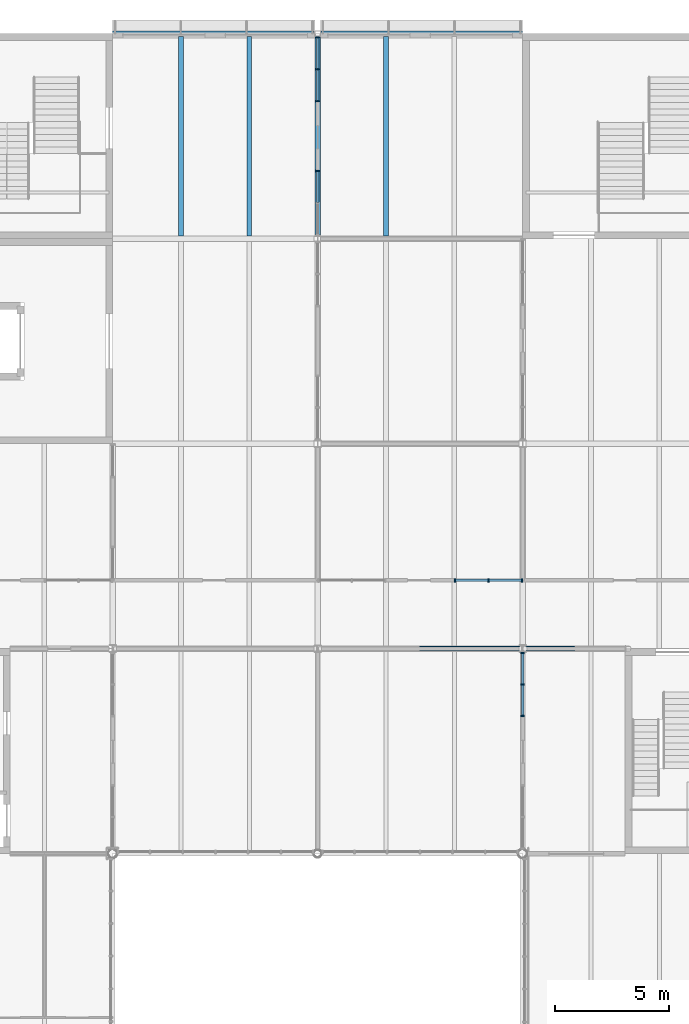
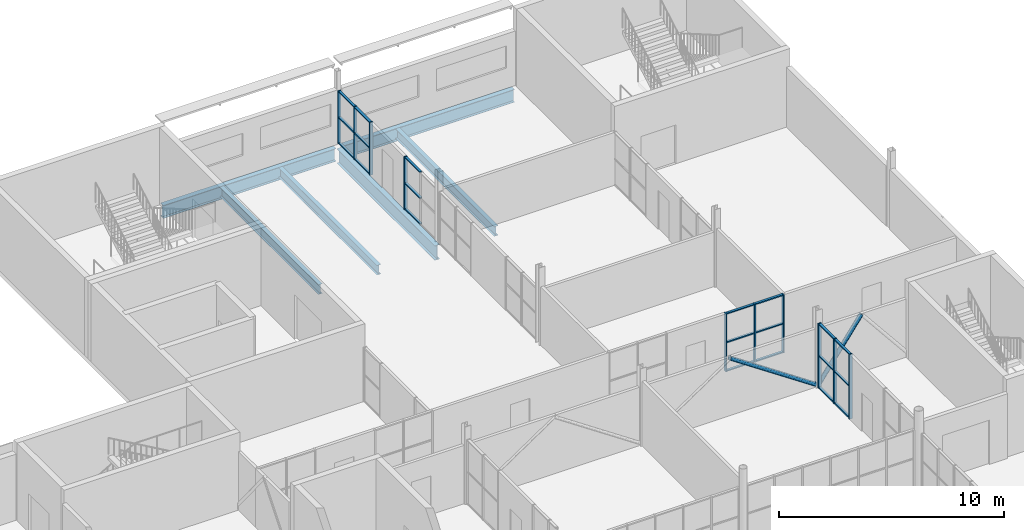
# One storey, part 23 of 57: 33 members, 6 beams, 4 elements without a shape of their own.
"""IFC4 building model written with IfcOpenShell, lengths in metres."""

from ifc_helpers import new_model, si_unit, direction, frame, origin, origin_2d, place, context, subcontext, project, spatial, rectangle, hollow_circle, i_section, extrude, material, layer, layer_set, material_profile, profile_set, type_object, element, aggregate, save


model = new_model("IFC4")

# Units and contexts
model_context = context("Model", 3, precision=1e-05, world=origin(), true_north=direction((0.0, 1.0)))
body_context = subcontext(model_context, "Body", "Model", "MODEL_VIEW")
ifc_project = project(units=[si_unit("LENGTHUNIT", "METRE"), si_unit("AREAUNIT", "SQUARE_METRE"), si_unit("VOLUMEUNIT", "CUBIC_METRE"), si_unit("PLANEANGLEUNIT", "RADIAN"), si_unit("MASSUNIT", "GRAM", prefix="KILO")], contexts=[model_context])

# Site, building, storey
site_placement = place(None, origin())
site = spatial("IfcSite", under=ifc_project, at=site_placement, CompositionType="ELEMENT")
building_placement = place(site_placement, origin())
building = spatial("IfcBuilding", under=site, at=building_placement, Name="Halyard Row Museum", CompositionType="ELEMENT")
storey_placement = place(building_placement, frame((0.0, 0.0, 5.0)))
storey = spatial("IfcBuildingStorey", under=building, at=storey_placement, Name="L01", CompositionType="ELEMENT", Elevation=5.0)

# Members
ifc_material_1 = material(Name="Steel Grade C350L0", Category="steel")
ifc_material_profile_1 = material_profile(ifc_material_1, hollow_circle(Radius=0.109619140625, WallThickness=0.00830078125, at=origin_2d()), Name="219.1x8.2CHS")
ifc_profile_set_1 = profile_set([ifc_material_profile_1], Name="Steel Grade C350L0")
member_type_1 = type_object("IfcMemberType", Name="Brace 219.1x8.2CHS", PredefinedType="BRACE", material=ifc_profile_set_1)
member_1_placement = place(storey_placement, frame((98.89453125, 36.0, 0.109619140625), z_axis=(-0.829104901189, 0.0, 0.559093071702), x_axis=(0.0, -1.0, 0.0)))
element("IfcMember", 1, at=member_1_placement, inside=storey, type_object=member_type_1, Name="Brace L01 Y36 90-99 B", PredefinedType="BRACE", context=body_context, shape_type="SweptSolid", body=[
    extrude(hollow_circle(Radius=0.109619140625, WallThickness=0.00830078125, at=origin_2d()), origin(), (0.0, 0.0, 1.0), 5.30029296875),
])
member_2_placement = place(storey_placement, frame((99.10546875, 36.0, 0.109619140625), z_axis=(0.582793599355, 0.0, 0.812620219137), x_axis=(0.0, 1.0, 0.0)))
element("IfcMember", 2, at=member_2_placement, inside=storey, type_object=member_type_1, Name="Brace L01 Y36 99-103.5 A", PredefinedType="BRACE", context=body_context, shape_type="SweptSolid", body=[
    extrude(hollow_circle(Radius=0.109619140625, WallThickness=0.00830078125, at=origin_2d()), origin(), (0.0, 0.0, 1.0), 3.6796875),
])

# Curtain wall, members
ifc_material_2 = material(Name="Fire-resisting laminated glazing", Category="glass")
ifc_layer = layer(ifc_material_2, 0.159912109375)
ifc_layer_set = layer_set([ifc_layer], Name="Fire-resisting laminated glazing")
curtain_wall_type = type_object("IfcCurtainWallType", Name="Curtain wall atrium screen 160 deep", PredefinedType="NOTDEFINED", material=ifc_layer_set)
curtain_wall_1_placement = place(storey_placement, origin())
curtain_wall_1 = element("IfcCurtainWall", 3, at=curtain_wall_1_placement, inside=storey, type_object=curtain_wall_type, Name="Curtain wall CW147", PredefinedType="NOTDEFINED")
ifc_material_3 = material(Name="Powder-coated aluminium section", Category="aluminium")
ifc_material_profile_2 = material_profile(ifc_material_3, rectangle(XDim=0.159912109375, YDim=0.06005859375, at=origin_2d()), Name="160x60 mullion")
ifc_profile_set_2 = profile_set([ifc_material_profile_2], Name="Powder-coated aluminium section")
member_type_2 = type_object("IfcMemberType", Name="Curtain wall mullion CM5 60 x 160", PredefinedType="MULLION", material=ifc_profile_set_2)
member_3_placement = place(storey_placement, frame((99.0, 33.0498046875, 0.0), z_axis=(0.0, 0.0, 1.0), x_axis=(-1.0, 0.0, 0.0)))
member_3 = element("IfcMember", 4, at=member_3_placement, type_object=member_type_2, Name="CW147 mullion 1", PredefinedType="MULLION", context=body_context, shape_type="SweptSolid", body=[
    extrude(rectangle(XDim=0.159912109375, YDim=0.06005859375, at=origin_2d()), origin(), (0.0, 0.0, 1.0), 3.501953125),
])
member_4_placement = place(storey_placement, frame((99.0, 34.427978515625, 0.0), z_axis=(0.0, 0.0, 1.0), x_axis=(-1.0, 0.0, 0.0)))
member_4 = element("IfcMember", 5, at=member_4_placement, type_object=member_type_2, Name="CW147 mullion 2", PredefinedType="MULLION", context=body_context, shape_type="SweptSolid", body=[
    extrude(rectangle(XDim=0.159912109375, YDim=0.06005859375, at=origin_2d()), origin(), (0.0, 0.0, 1.0), 3.501953125),
])
member_5_placement = place(storey_placement, frame((99.0, 35.806396484375, 0.0), z_axis=(0.0, 0.0, 1.0), x_axis=(-1.0, 0.0, 0.0)))
member_5 = element("IfcMember", 6, at=member_5_placement, type_object=member_type_2, Name="CW147 mullion 3", PredefinedType="MULLION", context=body_context, shape_type="SweptSolid", body=[
    extrude(rectangle(XDim=0.159912109375, YDim=0.06005859375, at=origin_2d()), origin(), (0.0, 0.0, 1.0), 3.501953125),
])

curtain_wall_2_placement = place(storey_placement, origin())
curtain_wall_2 = element("IfcCurtainWall", 7, at=curtain_wall_2_placement, inside=storey, type_object=curtain_wall_type, Name="Curtain wall CW151", PredefinedType="NOTDEFINED")
member_6_placement = place(storey_placement, frame((96.030029296875, 39.0, 0.0), z_axis=(0.0, 0.0, 1.0), x_axis=(0.0, 1.0, 0.0)))
member_6 = element("IfcMember", 8, at=member_6_placement, type_object=member_type_2, Name="CW151 mullion 1", PredefinedType="MULLION", context=body_context, shape_type="SweptSolid", body=[
    extrude(rectangle(XDim=0.159912109375, YDim=0.06005859375, at=origin_2d()), origin(), (0.0, 0.0, 1.0), 3.157958984375),
])
member_7_placement = place(storey_placement, frame((97.5, 39.0, 0.0), z_axis=(0.0, 0.0, 1.0), x_axis=(0.0, 1.0, 0.0)))
member_7 = element("IfcMember", 9, at=member_7_placement, type_object=member_type_2, Name="CW151 mullion 2", PredefinedType="MULLION", context=body_context, shape_type="SweptSolid", body=[
    extrude(rectangle(XDim=0.159912109375, YDim=0.06005859375, at=origin_2d()), origin(), (0.0, 0.0, 1.0), 3.157958984375),
])
member_8_placement = place(storey_placement, frame((98.969970703125, 39.0, 0.0), z_axis=(0.0, 0.0, 1.0), x_axis=(0.0, 1.0, 0.0)))
member_8 = element("IfcMember", 10, at=member_8_placement, type_object=member_type_2, Name="CW151 mullion 3", PredefinedType="MULLION", context=body_context, shape_type="SweptSolid", body=[
    extrude(rectangle(XDim=0.159912109375, YDim=0.06005859375, at=origin_2d()), origin(), (0.0, 0.0, 1.0), 3.157958984375),
])

# Curtain wall, member
curtain_wall_3_placement = place(storey_placement, origin())
curtain_wall_3 = element("IfcCurtainWall", 11, at=curtain_wall_3_placement, inside=storey, type_object=curtain_wall_type, Name="Curtain wall CW158", PredefinedType="NOTDEFINED")
member_9_placement = place(storey_placement, frame((90.0, 56.970947265625, 0.0), z_axis=(0.0, 0.0, 1.0), x_axis=(-1.0, 0.0, 0.0)))
member_9 = element("IfcMember", 12, at=member_9_placement, type_object=member_type_2, Name="CW158 mullion 3", PredefinedType="MULLION", context=body_context, shape_type="SweptSolid", body=[
    extrude(rectangle(XDim=0.159912109375, YDim=0.06005859375, at=origin_2d()), origin(), (0.0, 0.0, 1.0), 2.85791015625),
])

# Curtain wall, members
curtain_wall_4_placement = place(storey_placement, origin())
curtain_wall_4 = element("IfcCurtainWall", 13, at=curtain_wall_4_placement, inside=storey, type_object=curtain_wall_type, Name="Curtain wall CW159", PredefinedType="NOTDEFINED")
member_10_placement = place(storey_placement, frame((90.0, 60.031005859375, 0.0), z_axis=(0.0, 0.0, 1.0), x_axis=(-1.0, 0.0, 0.0)))
member_10 = element("IfcMember", 14, at=member_10_placement, type_object=member_type_2, Name="CW159 mullion 1", PredefinedType="MULLION", context=body_context, shape_type="SweptSolid", body=[
    extrude(rectangle(XDim=0.159912109375, YDim=0.06005859375, at=origin_2d()), origin(), (0.0, 0.0, 1.0), 2.85791015625),
])
member_11_placement = place(storey_placement, frame((90.0, 61.43798828125, 0.0), z_axis=(0.0, 0.0, 1.0), x_axis=(-1.0, 0.0, 0.0)))
member_11 = element("IfcMember", 15, at=member_11_placement, type_object=member_type_2, Name="CW159 mullion 2", PredefinedType="MULLION", context=body_context, shape_type="SweptSolid", body=[
    extrude(rectangle(XDim=0.159912109375, YDim=0.06005859375, at=origin_2d()), origin(), (0.0, 0.0, 1.0), 2.85791015625),
])
member_12_placement = place(storey_placement, frame((90.0, 62.844970703125, 0.0), z_axis=(0.0, 0.0, 1.0), x_axis=(-1.0, 0.0, 0.0)))
member_12 = element("IfcMember", 16, at=member_12_placement, type_object=member_type_2, Name="CW159 mullion 3", PredefinedType="MULLION", context=body_context, shape_type="SweptSolid", body=[
    extrude(rectangle(XDim=0.159912109375, YDim=0.06005859375, at=origin_2d()), origin(), (0.0, 0.0, 1.0), 2.85791015625),
])

# Member
ifc_material_4 = material(Name="Powder-coated aluminium section", Category="aluminium")
ifc_material_profile_3 = material_profile(ifc_material_4, rectangle(XDim=0.1201171875, YDim=0.06005859375, at=origin_2d()), Name="120x60 transom")
ifc_profile_set_3 = profile_set([ifc_material_profile_3], Name="Powder-coated aluminium section")
member_type_3 = type_object("IfcMemberType", Name="Curtain wall transom CT5 60 x 120", PredefinedType="USERDEFINED", material=ifc_profile_set_3)
member_13_placement = place(storey_placement, frame((99.0, 33.079833984375, 0.030029296875), z_axis=(0.0, 1.0, 0.0), x_axis=(-1.0, 0.0, 0.0)))
member_13 = element("IfcMember", 17, at=member_13_placement, type_object=member_type_3, Name="CW147 transom 1.1", ObjectType="TRANSOM", PredefinedType="USERDEFINED", context=body_context, shape_type="SweptSolid", body=[
    extrude(rectangle(XDim=0.1201171875, YDim=0.06005859375, at=origin_2d()), origin(), (0.0, 0.0, 1.0), 1.318359375),
])

member_14_placement = place(storey_placement, frame((99.0, 33.079833984375, 1.7509765625), z_axis=(0.0, 1.0, 0.0), x_axis=(-1.0, 0.0, 0.0)))
member_14 = element("IfcMember", 18, at=member_14_placement, type_object=member_type_3, Name="CW147 transom 1.2", ObjectType="TRANSOM", PredefinedType="USERDEFINED", context=body_context, shape_type="SweptSolid", body=[
    extrude(rectangle(XDim=0.1201171875, YDim=0.06005859375, at=origin_2d()), origin(), (0.0, 0.0, 1.0), 1.318359375),
])

member_15_placement = place(storey_placement, frame((99.0, 33.079833984375, 3.471923828125), z_axis=(0.0, 1.0, 0.0), x_axis=(-1.0, 0.0, 0.0)))
member_15 = element("IfcMember", 19, at=member_15_placement, type_object=member_type_3, Name="CW147 transom 1.3", ObjectType="TRANSOM", PredefinedType="USERDEFINED", context=body_context, shape_type="SweptSolid", body=[
    extrude(rectangle(XDim=0.1201171875, YDim=0.06005859375, at=origin_2d()), origin(), (0.0, 0.0, 1.0), 1.318359375),
])

member_16_placement = place(storey_placement, frame((99.0, 34.4580078125, 0.030029296875), z_axis=(0.0, 1.0, 0.0), x_axis=(-1.0, 0.0, 0.0)))
member_16 = element("IfcMember", 20, at=member_16_placement, type_object=member_type_3, Name="CW147 transom 2.1", ObjectType="TRANSOM", PredefinedType="USERDEFINED", context=body_context, shape_type="SweptSolid", body=[
    extrude(rectangle(XDim=0.1201171875, YDim=0.06005859375, at=origin_2d()), origin(), (0.0, 0.0, 1.0), 1.318359375),
])

member_17_placement = place(storey_placement, frame((99.0, 34.4580078125, 1.7509765625), z_axis=(0.0, 1.0, 0.0), x_axis=(-1.0, 0.0, 0.0)))
member_17 = element("IfcMember", 21, at=member_17_placement, type_object=member_type_3, Name="CW147 transom 2.2", ObjectType="TRANSOM", PredefinedType="USERDEFINED", context=body_context, shape_type="SweptSolid", body=[
    extrude(rectangle(XDim=0.1201171875, YDim=0.06005859375, at=origin_2d()), origin(), (0.0, 0.0, 1.0), 1.318359375),
])

member_18_placement = place(storey_placement, frame((99.0, 34.4580078125, 3.471923828125), z_axis=(0.0, 1.0, 0.0), x_axis=(-1.0, 0.0, 0.0)))
member_18 = element("IfcMember", 22, at=member_18_placement, type_object=member_type_3, Name="CW147 transom 2.3", ObjectType="TRANSOM", PredefinedType="USERDEFINED", context=body_context, shape_type="SweptSolid", body=[
    extrude(rectangle(XDim=0.1201171875, YDim=0.06005859375, at=origin_2d()), origin(), (0.0, 0.0, 1.0), 1.318359375),
])

aggregate(curtain_wall_1, [member_3, member_4, member_5, member_13, member_14, member_15, member_16, member_17, member_18])

member_19_placement = place(storey_placement, frame((96.06005859375, 39.0, 0.030029296875), z_axis=(1.0, 0.0, 0.0), x_axis=(0.0, 1.0, 0.0)))
member_19 = element("IfcMember", 23, at=member_19_placement, type_object=member_type_3, Name="CW151 transom 1.1", ObjectType="TRANSOM", PredefinedType="USERDEFINED", context=body_context, shape_type="SweptSolid", body=[
    extrude(rectangle(XDim=0.1201171875, YDim=0.06005859375, at=origin_2d()), origin(), (0.0, 0.0, 1.0), 1.409912109375),
])

member_20_placement = place(storey_placement, frame((96.06005859375, 39.0, 1.5791015625), z_axis=(1.0, 0.0, 0.0), x_axis=(0.0, 1.0, 0.0)))
member_20 = element("IfcMember", 24, at=member_20_placement, type_object=member_type_3, Name="CW151 transom 1.2", ObjectType="TRANSOM", PredefinedType="USERDEFINED", context=body_context, shape_type="SweptSolid", body=[
    extrude(rectangle(XDim=0.1201171875, YDim=0.06005859375, at=origin_2d()), origin(), (0.0, 0.0, 1.0), 1.409912109375),
])

member_21_placement = place(storey_placement, frame((96.06005859375, 39.0, 3.1279296875), z_axis=(1.0, 0.0, 0.0), x_axis=(0.0, 1.0, 0.0)))
member_21 = element("IfcMember", 25, at=member_21_placement, type_object=member_type_3, Name="CW151 transom 1.3", ObjectType="TRANSOM", PredefinedType="USERDEFINED", context=body_context, shape_type="SweptSolid", body=[
    extrude(rectangle(XDim=0.1201171875, YDim=0.06005859375, at=origin_2d()), origin(), (0.0, 0.0, 1.0), 1.409912109375),
])

member_22_placement = place(storey_placement, frame((97.530029296875, 39.0, 0.030029296875), z_axis=(1.0, 0.0, 0.0), x_axis=(0.0, 1.0, 0.0)))
member_22 = element("IfcMember", 26, at=member_22_placement, type_object=member_type_3, Name="CW151 transom 2.1", ObjectType="TRANSOM", PredefinedType="USERDEFINED", context=body_context, shape_type="SweptSolid", body=[
    extrude(rectangle(XDim=0.1201171875, YDim=0.06005859375, at=origin_2d()), origin(), (0.0, 0.0, 1.0), 1.409912109375),
])

member_23_placement = place(storey_placement, frame((97.530029296875, 39.0, 1.5791015625), z_axis=(1.0, 0.0, 0.0), x_axis=(0.0, 1.0, 0.0)))
member_23 = element("IfcMember", 27, at=member_23_placement, type_object=member_type_3, Name="CW151 transom 2.2", ObjectType="TRANSOM", PredefinedType="USERDEFINED", context=body_context, shape_type="SweptSolid", body=[
    extrude(rectangle(XDim=0.1201171875, YDim=0.06005859375, at=origin_2d()), origin(), (0.0, 0.0, 1.0), 1.409912109375),
])

member_24_placement = place(storey_placement, frame((97.530029296875, 39.0, 3.1279296875), z_axis=(1.0, 0.0, 0.0), x_axis=(0.0, 1.0, 0.0)))
member_24 = element("IfcMember", 28, at=member_24_placement, type_object=member_type_3, Name="CW151 transom 2.3", ObjectType="TRANSOM", PredefinedType="USERDEFINED", context=body_context, shape_type="SweptSolid", body=[
    extrude(rectangle(XDim=0.1201171875, YDim=0.06005859375, at=origin_2d()), origin(), (0.0, 0.0, 1.0), 1.409912109375),
])

aggregate(curtain_wall_2, [member_6, member_7, member_8, member_19, member_20, member_21, member_22, member_23, member_24])

member_25_placement = place(storey_placement, frame((90.0, 55.593994140625, 0.030029296875), z_axis=(0.0, 1.0, 0.0), x_axis=(-1.0, 0.0, 0.0)))
member_25 = element("IfcMember", 29, at=member_25_placement, type_object=member_type_3, Name="CW158 transom 2.1", ObjectType="TRANSOM", PredefinedType="USERDEFINED", context=body_context, shape_type="SweptSolid", body=[
    extrude(rectangle(XDim=0.1201171875, YDim=0.06005859375, at=origin_2d()), origin(), (0.0, 0.0, 1.0), 1.346923828125),
])

member_26_placement = place(storey_placement, frame((90.0, 55.593994140625, 1.428955078125), z_axis=(0.0, 1.0, 0.0), x_axis=(-1.0, 0.0, 0.0)))
member_26 = element("IfcMember", 30, at=member_26_placement, type_object=member_type_3, Name="CW158 transom 2.2", ObjectType="TRANSOM", PredefinedType="USERDEFINED", context=body_context, shape_type="SweptSolid", body=[
    extrude(rectangle(XDim=0.1201171875, YDim=0.06005859375, at=origin_2d()), origin(), (0.0, 0.0, 1.0), 1.346923828125),
])

member_27_placement = place(storey_placement, frame((90.0, 55.593994140625, 2.827880859375), z_axis=(0.0, 1.0, 0.0), x_axis=(-1.0, 0.0, 0.0)))
member_27 = element("IfcMember", 31, at=member_27_placement, type_object=member_type_3, Name="CW158 transom 2.3", ObjectType="TRANSOM", PredefinedType="USERDEFINED", context=body_context, shape_type="SweptSolid", body=[
    extrude(rectangle(XDim=0.1201171875, YDim=0.06005859375, at=origin_2d()), origin(), (0.0, 0.0, 1.0), 1.346923828125),
])

aggregate(curtain_wall_3, [member_9, member_25, member_26, member_27])

member_28_placement = place(storey_placement, frame((90.0, 60.06103515625, 0.030029296875), z_axis=(0.0, 1.0, 0.0), x_axis=(-1.0, 0.0, 0.0)))
member_28 = element("IfcMember", 32, at=member_28_placement, type_object=member_type_3, Name="CW159 transom 1.1", ObjectType="TRANSOM", PredefinedType="USERDEFINED", context=body_context, shape_type="SweptSolid", body=[
    extrude(rectangle(XDim=0.1201171875, YDim=0.06005859375, at=origin_2d()), origin(), (0.0, 0.0, 1.0), 1.346923828125),
])

member_29_placement = place(storey_placement, frame((90.0, 60.06103515625, 1.428955078125), z_axis=(0.0, 1.0, 0.0), x_axis=(-1.0, 0.0, 0.0)))
member_29 = element("IfcMember", 33, at=member_29_placement, type_object=member_type_3, Name="CW159 transom 1.2", ObjectType="TRANSOM", PredefinedType="USERDEFINED", context=body_context, shape_type="SweptSolid", body=[
    extrude(rectangle(XDim=0.1201171875, YDim=0.06005859375, at=origin_2d()), origin(), (0.0, 0.0, 1.0), 1.346923828125),
])

member_30_placement = place(storey_placement, frame((90.0, 60.06103515625, 2.827880859375), z_axis=(0.0, 1.0, 0.0), x_axis=(-1.0, 0.0, 0.0)))
member_30 = element("IfcMember", 34, at=member_30_placement, type_object=member_type_3, Name="CW159 transom 1.3", ObjectType="TRANSOM", PredefinedType="USERDEFINED", context=body_context, shape_type="SweptSolid", body=[
    extrude(rectangle(XDim=0.1201171875, YDim=0.06005859375, at=origin_2d()), origin(), (0.0, 0.0, 1.0), 1.346923828125),
])

member_31_placement = place(storey_placement, frame((90.0, 61.468017578125, 0.030029296875), z_axis=(0.0, 1.0, 0.0), x_axis=(-1.0, 0.0, 0.0)))
member_31 = element("IfcMember", 35, at=member_31_placement, type_object=member_type_3, Name="CW159 transom 2.1", ObjectType="TRANSOM", PredefinedType="USERDEFINED", context=body_context, shape_type="SweptSolid", body=[
    extrude(rectangle(XDim=0.1201171875, YDim=0.06005859375, at=origin_2d()), origin(), (0.0, 0.0, 1.0), 1.346923828125),
])

member_32_placement = place(storey_placement, frame((90.0, 61.468017578125, 1.428955078125), z_axis=(0.0, 1.0, 0.0), x_axis=(-1.0, 0.0, 0.0)))
member_32 = element("IfcMember", 36, at=member_32_placement, type_object=member_type_3, Name="CW159 transom 2.2", ObjectType="TRANSOM", PredefinedType="USERDEFINED", context=body_context, shape_type="SweptSolid", body=[
    extrude(rectangle(XDim=0.1201171875, YDim=0.06005859375, at=origin_2d()), origin(), (0.0, 0.0, 1.0), 1.346923828125),
])

member_33_placement = place(storey_placement, frame((90.0, 61.468017578125, 2.827880859375), z_axis=(0.0, 1.0, 0.0), x_axis=(-1.0, 0.0, 0.0)))
member_33 = element("IfcMember", 37, at=member_33_placement, type_object=member_type_3, Name="CW159 transom 2.3", ObjectType="TRANSOM", PredefinedType="USERDEFINED", context=body_context, shape_type="SweptSolid", body=[
    extrude(rectangle(XDim=0.1201171875, YDim=0.06005859375, at=origin_2d()), origin(), (0.0, 0.0, 1.0), 1.346923828125),
])

aggregate(curtain_wall_4, [member_10, member_11, member_12, member_28, member_29, member_30, member_31, member_32, member_33])

# Beams
ifc_material_5 = material(Name="Steel Grade 300", Category="steel")
ifc_material_profile_4 = material_profile(ifc_material_5, i_section(OverallWidth=0.25, OverallDepth=0.699951171875, WebThickness=0.010009765625, FlangeThickness=0.02001953125, at=origin_2d()), Name="700WB130")
ifc_profile_set_4 = profile_set([ifc_material_profile_4], Name="Steel Grade 300")
beam_type_1 = type_object("IfcBeamType", Name="Edge beam 700WB130 (lowered 85)", PredefinedType="BEAM", material=ifc_profile_set_4)
for number, where, z_axis, x_axis, name in (
    (38, (81.0, 63.0, -0.60009765625), (1.0, 0.0, 0.0), (0.0, 1.0, 0.0), "Beam L01-043"),
    (39, (90.14990234375, 63.0, -0.60009765625), (1.0, 0.0, 0.0), (0.0, 1.0, 0.0), "Beam L01-044"),
):
    element("IfcBeam", number, at=place(storey_placement, frame(where, z_axis=z_axis, x_axis=x_axis)), inside=storey, type_object=beam_type_1, Name=name, PredefinedType="BEAM", context=body_context, shape_type="SweptSolid", body=[
        extrude(i_section(OverallWidth=0.25, OverallDepth=0.699951171875, WebThickness=0.010009765625, FlangeThickness=0.02001953125, at=origin_2d()), origin(), (0.0, 0.0, 1.0), 8.85009765625),
    ])
ifc_material_6 = material(Name="Steel Grade 300", Category="steel")
ifc_material_profile_5 = material_profile(ifc_material_6, i_section(OverallWidth=0.25, OverallDepth=0.7919921875, WebThickness=0.010009765625, FlangeThickness=0.01611328125, at=origin_2d()), Name="800WB122")
ifc_profile_set_5 = profile_set([ifc_material_profile_5], Name="Steel Grade 300")
beam_type_2 = type_object("IfcBeamType", Name="Girder beam 800WB122 (lowered 85)", PredefinedType="BEAM", material=ifc_profile_set_5)
beam_placement = place(storey_placement, frame((90.0, 54.154052734375, -0.64599609375), z_axis=(0.0, 1.0, 0.0), x_axis=(-1.0, 0.0, 0.0)))
element("IfcBeam", 40, at=beam_placement, inside=storey, type_object=beam_type_2, Name="Beam L01-074", PredefinedType="BEAM", context=body_context, shape_type="SweptSolid", body=[
    extrude(i_section(OverallWidth=0.25, OverallDepth=0.7919921875, WebThickness=0.010009765625, FlangeThickness=0.01611328125, at=origin_2d()), origin(), (0.0, 0.0, 1.0), 8.696044921875),
])
ifc_material_7 = material(Name="Steel Grade 300", Category="steel")
ifc_material_profile_6 = material_profile(ifc_material_7, i_section(OverallWidth=0.208984375, OverallDepth=0.5283203125, WebThickness=0.009521484375, FlangeThickness=0.01318359375, FilletRadius=0.013916015625, at=origin_2d()), Name="530UB82.0")
ifc_profile_set_6 = profile_set([ifc_material_profile_6], Name="Steel Grade 300")
beam_type_3 = type_object("IfcBeamType", Name="Secondary beam 530UB82.0 (lowered 85)", PredefinedType="BEAM", material=ifc_profile_set_6)
for number, where, z_axis, x_axis, name in (
    (41, (84.0, 54.125, -0.51416015625), (0.0, 1.0, 0.0), (-1.0, 0.0, 0.0), "Beam L01-149"),
    (42, (87.0, 54.125, -0.51416015625), (0.0, 1.0, 0.0), (-1.0, 0.0, 0.0), "Beam L01-150"),
    (43, (93.0, 54.125, -0.51416015625), (0.0, 1.0, 0.0), (-1.0, 0.0, 0.0), "Beam L01-151"),
):
    element("IfcBeam", number, at=place(storey_placement, frame(where, z_axis=z_axis, x_axis=x_axis)), inside=storey, type_object=beam_type_3, Name=name, PredefinedType="BEAM", context=body_context, shape_type="SweptSolid", body=[
        extrude(i_section(OverallWidth=0.208984375, OverallDepth=0.5283203125, WebThickness=0.009521484375, FlangeThickness=0.01318359375, FilletRadius=0.013916015625, at=origin_2d()), origin(), (0.0, 0.0, 1.0), 8.75),
    ])

save(model, "model.ifc")
